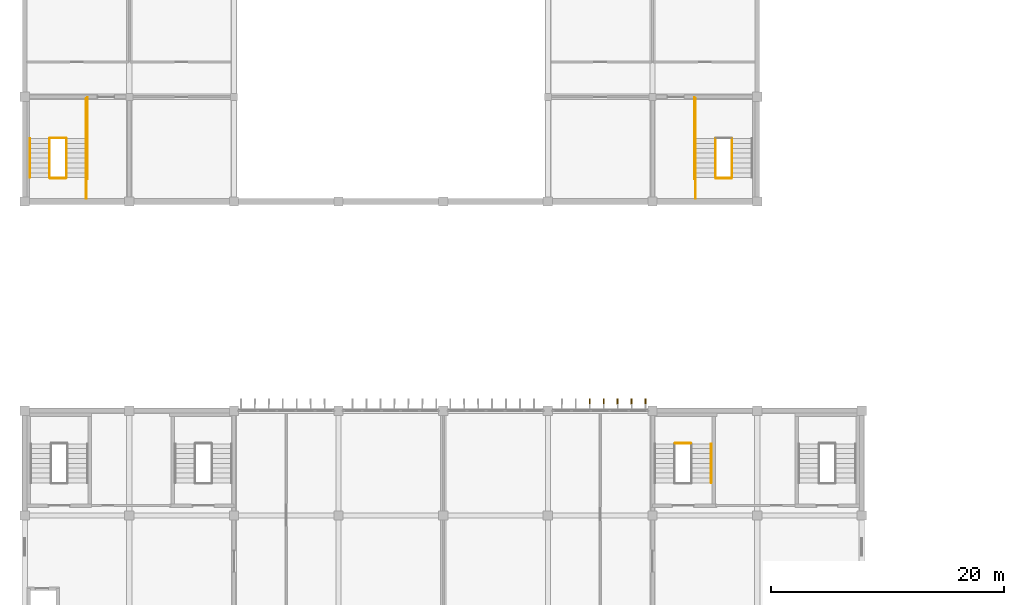
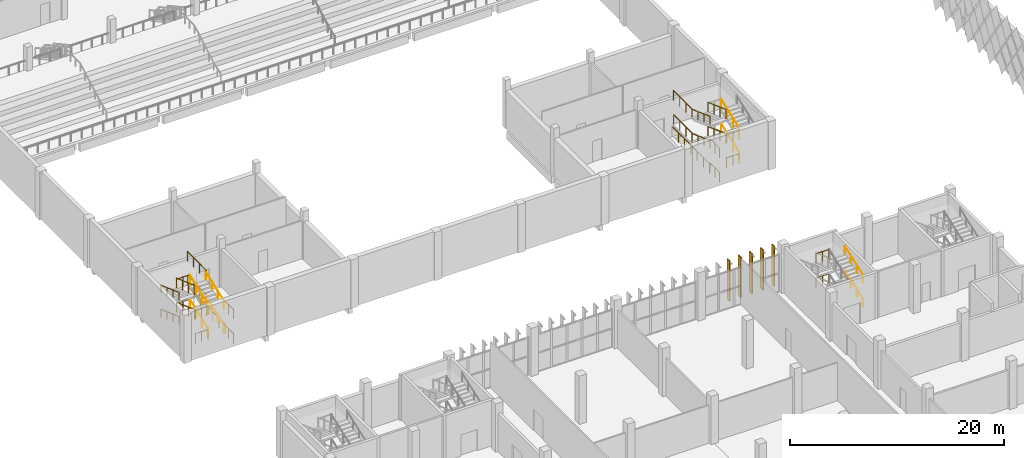
# One storey, part 170 of 185: 34 railings, 5 coverings.
"""IFC4 building model written with IfcOpenShell, lengths in metres."""

from ifc_helpers import new_model, si_unit, direction, frame, origin, origin_2d, place, context, subcontext, project, spatial, rectangle, circle, extrude, material, layer, layer_set, constituent, constituent_set, type_object, element, save


model = new_model("IFC4")

# Units and contexts
model_context = context("Model", 3, precision=1e-05, world=origin(), true_north=direction((0.0, 1.0)))
body_context = subcontext(model_context, "Body", "Model", "MODEL_VIEW")
ifc_project = project(units=[si_unit("LENGTHUNIT", "METRE"), si_unit("AREAUNIT", "SQUARE_METRE"), si_unit("VOLUMEUNIT", "CUBIC_METRE"), si_unit("PLANEANGLEUNIT", "RADIAN"), si_unit("MASSUNIT", "GRAM", prefix="KILO")], contexts=[model_context])

# Site, building, storey
site_placement = place(None, origin())
site = spatial("IfcSite", under=ifc_project, at=site_placement, CompositionType="ELEMENT")
building_placement = place(site_placement, origin())
building = spatial("IfcBuilding", under=site, at=building_placement, Name="Opaline Strait Convention Centre", CompositionType="ELEMENT")
storey_placement = place(building_placement, frame((0.0, 0.0, 6.0)))
storey = spatial("IfcBuildingStorey", under=building, at=storey_placement, Name="L01", CompositionType="ELEMENT", Elevation=6.0)

# Railings
ifc_material_1 = material(Name="Steel Q355B", Category="steel")
ifc_constituent_1 = constituent(ifc_material_1, Name="Frame")
ifc_material_2 = material(Name="Safety glass, bonded interlayer", Category="glass")
ifc_constituent_2 = constituent(ifc_material_2, Name="Infill")
ifc_constituent_set_1 = constituent_set(constituents=[ifc_constituent_1, ifc_constituent_2], Name="Steel Q355B, Safety glass, bonded interlayer")
railing_type_1 = type_object("IfcRailingType", Name="Seating guard 1100 steel and glass", PredefinedType="GUARDRAIL", material=ifc_constituent_set_1)
railing_1_placement = place(storey_placement, frame((12.60009765625, 119.050048828125, 0.15283203125)))
element("IfcRailing", 1, at=railing_1_placement, inside=storey, type_object=railing_type_1, Name="L01 PSR1 stair guard 1", PredefinedType="GUARDRAIL", context=body_context, shape_type="SweptSolid", body=[
    extrude(circle(Radius=0.02392578125, at=origin_2d()), frame((0.0, 0.0, 1.076171875), z_axis=(0.0, 0.93975753056, 0.341841752506), x_axis=(-1.0, 0.0, 0.0)), (0.0, 0.0, 1.0), 3.5751953125),
    extrude(circle(Radius=0.02099609375, at=origin_2d()), origin(), (0.0, 0.0, 1.0), 1.052001953125),
    extrude(circle(Radius=0.02099609375, at=origin_2d()), frame((0.0, 1.119873046875, 0.407470703125)), (0.0, 0.0, 1.0), 1.052001953125),
    extrude(circle(Radius=0.02099609375, at=origin_2d()), frame((0.0, 2.239990234375, 0.814697265625)), (0.0, 0.0, 1.0), 1.052001953125),
    extrude(circle(Radius=0.02099609375, at=origin_2d()), frame((0.0, 3.35986328125, 1.22216796875)), (0.0, 0.0, 1.0), 1.052001953125),
])
railing_2_placement = place(storey_placement, frame((12.550048828125, 122.4599609375, 1.375)))
element("IfcRailing", 2, at=railing_2_placement, inside=storey, type_object=railing_type_1, Name="L01 PSR1 stair guard 2", PredefinedType="GUARDRAIL", context=body_context, shape_type="SweptSolid", body=[
    extrude(circle(Radius=0.02392578125, at=origin_2d()), frame((0.0, 0.0, 1.076171875), z_axis=(-1.0, 0.0, 0.0), x_axis=(0.0, -1.0, 0.0)), (0.0, 0.0, 1.0), 1.35009765625),
    extrude(circle(Radius=0.02099609375, at=origin_2d()), origin(), (0.0, 0.0, 1.0), 1.052001953125),
    extrude(circle(Radius=0.02099609375, at=origin_2d()), frame((-0.675048828125, 0.0, 0.0)), (0.0, 0.0, 1.0), 1.052001953125),
    extrude(circle(Radius=0.02099609375, at=origin_2d()), frame((-1.35009765625, 0.0, 0.0)), (0.0, 0.0, 1.0), 1.052001953125),
])
railing_3_placement = place(storey_placement, frame((14.300048828125, 122.409912109375, 1.375)))
element("IfcRailing", 3, at=railing_3_placement, inside=storey, type_object=railing_type_1, Name="L01 PSR1 stair guard 3", PredefinedType="GUARDRAIL", context=body_context, shape_type="SweptSolid", body=[
    extrude(circle(Radius=0.02392578125, at=origin_2d()), frame((0.0, 0.0, 1.076171875), z_axis=(0.0, 1.0, 0.0), x_axis=(-1.0, 0.0, 0.0)), (0.0, 0.0, 1.0), 3.440185546875),
    extrude(circle(Radius=0.02099609375, at=origin_2d()), origin(), (0.0, 0.0, 1.0), 1.052001953125),
    extrude(circle(Radius=0.02099609375, at=origin_2d()), frame((0.0, 1.146728515625, 0.0)), (0.0, 0.0, 1.0), 1.052001953125),
    extrude(circle(Radius=0.02099609375, at=origin_2d()), frame((0.0, 2.29345703125, 0.0)), (0.0, 0.0, 1.0), 1.052001953125),
    extrude(circle(Radius=0.02099609375, at=origin_2d()), frame((0.0, 3.440185546875, 0.0)), (0.0, 0.0, 1.0), 1.052001953125),
])
railing_4_placement = place(storey_placement, frame((11.14990234375, 122.409912109375, 1.52783203125)))
element("IfcRailing", 4, at=railing_4_placement, inside=storey, type_object=railing_type_1, Name="L01 PSR1 stair guard 4", PredefinedType="GUARDRAIL", context=body_context, shape_type="SweptSolid", body=[
    extrude(circle(Radius=0.02392578125, at=origin_2d()), frame((0.0, 0.0, 1.076171875), z_axis=(0.0, -0.93975753056, 0.341841752506), x_axis=(1.0, 0.0, 0.0)), (0.0, 0.0, 1.0), 3.5751953125),
    extrude(circle(Radius=0.02099609375, at=origin_2d()), origin(), (0.0, 0.0, 1.0), 1.052001953125),
    extrude(circle(Radius=0.02099609375, at=origin_2d()), frame((0.0, -1.119873046875, 0.407470703125)), (0.0, 0.0, 1.0), 1.052001953125),
    extrude(circle(Radius=0.02099609375, at=origin_2d()), frame((0.0, -2.239990234375, 0.814697265625)), (0.0, 0.0, 1.0), 1.052001953125),
    extrude(circle(Radius=0.02099609375, at=origin_2d()), frame((0.0, -3.35986328125, 1.22216796875)), (0.0, 0.0, 1.0), 1.052001953125),
])
railing_5_placement = place(storey_placement, frame((12.550048828125, 119.0, 2.75)))
element("IfcRailing", 5, at=railing_5_placement, inside=storey, type_object=railing_type_1, Name="L01 PSR1 stair guard 5", PredefinedType="GUARDRAIL", context=body_context, shape_type="SweptSolid", body=[
    extrude(circle(Radius=0.02392578125, at=origin_2d()), frame((0.0, 0.0, 1.076171875), z_axis=(-1.0, 0.0, 0.0), x_axis=(0.0, -1.0, 0.0)), (0.0, 0.0, 1.0), 1.35009765625),
    extrude(circle(Radius=0.02099609375, at=origin_2d()), origin(), (0.0, 0.0, 1.0), 1.052001953125),
    extrude(circle(Radius=0.02099609375, at=origin_2d()), frame((-0.675048828125, 0.0, 0.0)), (0.0, 0.0, 1.0), 1.052001953125),
    extrude(circle(Radius=0.02099609375, at=origin_2d()), frame((-1.35009765625, 0.0, 0.0)), (0.0, 0.0, 1.0), 1.052001953125),
])
railing_6_placement = place(storey_placement, frame((14.300048828125, 117.25, 2.75)))
element("IfcRailing", 6, at=railing_6_placement, inside=storey, type_object=railing_type_1, Name="L01 PSR1 stair guard 6", PredefinedType="GUARDRAIL", context=body_context, shape_type="SweptSolid", body=[
    extrude(circle(Radius=0.02392578125, at=origin_2d()), frame((0.0, 0.0, 1.076171875), z_axis=(0.0, 1.0, 0.0), x_axis=(-1.0, 0.0, 0.0)), (0.0, 0.0, 1.0), 1.800048828125),
    extrude(circle(Radius=0.02099609375, at=origin_2d()), origin(), (0.0, 0.0, 1.0), 1.052001953125),
    extrude(circle(Radius=0.02099609375, at=origin_2d()), frame((0.0, 0.89990234375, 0.0)), (0.0, 0.0, 1.0), 1.052001953125),
    extrude(circle(Radius=0.02099609375, at=origin_2d()), frame((0.0, 1.800048828125, 0.0)), (0.0, 0.0, 1.0), 1.052001953125),
])
railing_7_placement = place(storey_placement, frame((12.60009765625, 119.050048828125, 2.90283203125)))
element("IfcRailing", 7, at=railing_7_placement, inside=storey, type_object=railing_type_1, Name="L01 PSR1 stair guard 7", PredefinedType="GUARDRAIL", context=body_context, shape_type="SweptSolid", body=[
    extrude(circle(Radius=0.02392578125, at=origin_2d()), frame((0.0, 0.0, 1.076171875), z_axis=(0.0, 0.93975753056, 0.341841752506), x_axis=(-1.0, 0.0, 0.0)), (0.0, 0.0, 1.0), 3.5751953125),
    extrude(circle(Radius=0.02099609375, at=origin_2d()), origin(), (0.0, 0.0, 1.0), 1.052001953125),
    extrude(circle(Radius=0.02099609375, at=origin_2d()), frame((0.0, 1.119873046875, 0.407470703125)), (0.0, 0.0, 1.0), 1.052001953125),
    extrude(circle(Radius=0.02099609375, at=origin_2d()), frame((0.0, 2.239990234375, 0.814697265625)), (0.0, 0.0, 1.0), 1.052001953125),
    extrude(circle(Radius=0.02099609375, at=origin_2d()), frame((0.0, 3.35986328125, 1.22216796875)), (0.0, 0.0, 1.0), 1.052001953125),
])
railing_8_placement = place(storey_placement, frame((12.550048828125, 122.4599609375, 4.125)))
element("IfcRailing", 8, at=railing_8_placement, inside=storey, type_object=railing_type_1, Name="L01 PSR1 stair guard 8", PredefinedType="GUARDRAIL", context=body_context, shape_type="SweptSolid", body=[
    extrude(circle(Radius=0.02392578125, at=origin_2d()), frame((0.0, 0.0, 1.076171875), z_axis=(-1.0, 0.0, 0.0), x_axis=(0.0, -1.0, 0.0)), (0.0, 0.0, 1.0), 1.35009765625),
    extrude(circle(Radius=0.02099609375, at=origin_2d()), origin(), (0.0, 0.0, 1.0), 1.052001953125),
    extrude(circle(Radius=0.02099609375, at=origin_2d()), frame((-0.675048828125, 0.0, 0.0)), (0.0, 0.0, 1.0), 1.052001953125),
    extrude(circle(Radius=0.02099609375, at=origin_2d()), frame((-1.35009765625, 0.0, 0.0)), (0.0, 0.0, 1.0), 1.052001953125),
])
railing_9_placement = place(storey_placement, frame((14.300048828125, 122.409912109375, 4.125)))
element("IfcRailing", 9, at=railing_9_placement, inside=storey, type_object=railing_type_1, Name="L01 PSR1 stair guard 9", PredefinedType="GUARDRAIL", context=body_context, shape_type="SweptSolid", body=[
    extrude(circle(Radius=0.02392578125, at=origin_2d()), frame((0.0, 0.0, 1.076171875), z_axis=(0.0, 1.0, 0.0), x_axis=(-1.0, 0.0, 0.0)), (0.0, 0.0, 1.0), 3.440185546875),
    extrude(circle(Radius=0.02099609375, at=origin_2d()), origin(), (0.0, 0.0, 1.0), 1.052001953125),
    extrude(circle(Radius=0.02099609375, at=origin_2d()), frame((0.0, 1.146728515625, 0.0)), (0.0, 0.0, 1.0), 1.052001953125),
    extrude(circle(Radius=0.02099609375, at=origin_2d()), frame((0.0, 2.29345703125, 0.0)), (0.0, 0.0, 1.0), 1.052001953125),
    extrude(circle(Radius=0.02099609375, at=origin_2d()), frame((0.0, 3.440185546875, 0.0)), (0.0, 0.0, 1.0), 1.052001953125),
])
railing_10_placement = place(storey_placement, frame((11.14990234375, 122.409912109375, 4.27783203125)))
element("IfcRailing", 10, at=railing_10_placement, inside=storey, type_object=railing_type_1, Name="L01 PSR1 stair guard 10", PredefinedType="GUARDRAIL", context=body_context, shape_type="SweptSolid", body=[
    extrude(circle(Radius=0.02392578125, at=origin_2d()), frame((0.0, 0.0, 1.076171875), z_axis=(0.0, -0.93975753056, 0.341841752506), x_axis=(1.0, 0.0, 0.0)), (0.0, 0.0, 1.0), 3.5751953125),
    extrude(circle(Radius=0.02099609375, at=origin_2d()), origin(), (0.0, 0.0, 1.0), 1.052001953125),
    extrude(circle(Radius=0.02099609375, at=origin_2d()), frame((0.0, -1.119873046875, 0.407470703125)), (0.0, 0.0, 1.0), 1.052001953125),
    extrude(circle(Radius=0.02099609375, at=origin_2d()), frame((0.0, -2.239990234375, 0.814697265625)), (0.0, 0.0, 1.0), 1.052001953125),
    extrude(circle(Radius=0.02099609375, at=origin_2d()), frame((0.0, -3.35986328125, 1.22216796875)), (0.0, 0.0, 1.0), 1.052001953125),
])
railing_11_placement = place(storey_placement, frame((12.550048828125, 119.0, 0.0)))
element("IfcRailing", 11, at=railing_11_placement, inside=storey, type_object=railing_type_1, Name="L01 PSR1 stair guard 11", PredefinedType="GUARDRAIL", context=body_context, shape_type="SweptSolid", body=[
    extrude(circle(Radius=0.02392578125, at=origin_2d()), frame((0.0, 0.0, 1.076171875), z_axis=(-1.0, 0.0, 0.0), x_axis=(0.0, -1.0, 0.0)), (0.0, 0.0, 1.0), 1.35009765625),
    extrude(circle(Radius=0.02099609375, at=origin_2d()), origin(), (0.0, 0.0, 1.0), 1.052001953125),
    extrude(circle(Radius=0.02099609375, at=origin_2d()), frame((-0.675048828125, 0.0, 0.0)), (0.0, 0.0, 1.0), 1.052001953125),
    extrude(circle(Radius=0.02099609375, at=origin_2d()), frame((-1.35009765625, 0.0, 0.0)), (0.0, 0.0, 1.0), 1.052001953125),
])
railing_12_placement = place(storey_placement, frame((14.300048828125, 117.25, 0.0)))
element("IfcRailing", 12, at=railing_12_placement, inside=storey, type_object=railing_type_1, Name="L01 PSR1 stair guard 12", PredefinedType="GUARDRAIL", context=body_context, shape_type="SweptSolid", body=[
    extrude(circle(Radius=0.02392578125, at=origin_2d()), frame((0.0, 0.0, 1.076171875), z_axis=(0.0, 1.0, 0.0), x_axis=(-1.0, 0.0, 0.0)), (0.0, 0.0, 1.0), 1.800048828125),
    extrude(circle(Radius=0.02099609375, at=origin_2d()), origin(), (0.0, 0.0, 1.0), 1.052001953125),
    extrude(circle(Radius=0.02099609375, at=origin_2d()), frame((0.0, 0.89990234375, 0.0)), (0.0, 0.0, 1.0), 1.052001953125),
    extrude(circle(Radius=0.02099609375, at=origin_2d()), frame((0.0, 1.800048828125, 0.0)), (0.0, 0.0, 1.0), 1.052001953125),
])
railing_13_placement = place(storey_placement, frame((14.39990234375, 118.949951171875, 0.0)))
element("IfcRailing", 13, at=railing_13_placement, inside=storey, type_object=railing_type_1, Name="L01 PSR1 stair guard 13", PredefinedType="GUARDRAIL", context=body_context, shape_type="SweptSolid", body=[
    extrude(circle(Radius=0.02392578125, at=origin_2d()), frame((0.0, 0.0, 1.076171875), z_axis=(0.0, 1.0, 0.0), x_axis=(-1.0, 0.0, 0.0)), (0.0, 0.0, 1.0), 7.0),
    extrude(circle(Radius=0.02099609375, at=origin_2d()), origin(), (0.0, 0.0, 1.0), 1.052001953125),
    extrude(circle(Radius=0.02099609375, at=origin_2d()), frame((0.0, 1.166748046875, 0.0)), (0.0, 0.0, 1.0), 1.052001953125),
    extrude(circle(Radius=0.02099609375, at=origin_2d()), frame((0.0, 2.333251953125, 0.0)), (0.0, 0.0, 1.0), 1.052001953125),
    extrude(circle(Radius=0.02099609375, at=origin_2d()), frame((0.0, 3.5, 0.0)), (0.0, 0.0, 1.0), 1.052001953125),
    extrude(circle(Radius=0.02099609375, at=origin_2d()), frame((0.0, 4.666748046875, 0.0)), (0.0, 0.0, 1.0), 1.052001953125),
    extrude(circle(Radius=0.02099609375, at=origin_2d()), frame((0.0, 5.833251953125, 0.0)), (0.0, 0.0, 1.0), 1.052001953125),
    extrude(circle(Radius=0.02099609375, at=origin_2d()), frame((0.0, 7.0, 0.0)), (0.0, 0.0, 1.0), 1.052001953125),
])
railing_14_placement = place(storey_placement, frame((69.85009765625, 119.050048828125, 0.15283203125)))
element("IfcRailing", 14, at=railing_14_placement, inside=storey, type_object=railing_type_1, Name="L01 PSR2 stair guard 1", PredefinedType="GUARDRAIL", context=body_context, shape_type="SweptSolid", body=[
    extrude(circle(Radius=0.02392578125, at=origin_2d()), frame((0.0, 0.0, 1.076171875), z_axis=(0.0, 0.93975753056, 0.341841752506), x_axis=(-1.0, 0.0, 0.0)), (0.0, 0.0, 1.0), 3.5751953125),
    extrude(circle(Radius=0.02099609375, at=origin_2d()), origin(), (0.0, 0.0, 1.0), 1.052001953125),
    extrude(circle(Radius=0.02099609375, at=origin_2d()), frame((0.0, 1.119873046875, 0.407470703125)), (0.0, 0.0, 1.0), 1.052001953125),
    extrude(circle(Radius=0.02099609375, at=origin_2d()), frame((0.0, 2.239990234375, 0.814697265625)), (0.0, 0.0, 1.0), 1.052001953125),
    extrude(circle(Radius=0.02099609375, at=origin_2d()), frame((0.0, 3.35986328125, 1.22216796875)), (0.0, 0.0, 1.0), 1.052001953125),
])
railing_15_placement = place(storey_placement, frame((66.699951171875, 122.409912109375, 1.375)))
element("IfcRailing", 15, at=railing_15_placement, inside=storey, type_object=railing_type_1, Name="L01 PSR2 stair guard 3", PredefinedType="GUARDRAIL", context=body_context, shape_type="SweptSolid", body=[
    extrude(circle(Radius=0.02392578125, at=origin_2d()), frame((0.0, 0.0, 1.076171875), z_axis=(0.0, 1.0, 0.0), x_axis=(-1.0, 0.0, 0.0)), (0.0, 0.0, 1.0), 3.440185546875),
    extrude(circle(Radius=0.02099609375, at=origin_2d()), origin(), (0.0, 0.0, 1.0), 1.052001953125),
    extrude(circle(Radius=0.02099609375, at=origin_2d()), frame((0.0, 1.146728515625, 0.0)), (0.0, 0.0, 1.0), 1.052001953125),
    extrude(circle(Radius=0.02099609375, at=origin_2d()), frame((0.0, 2.29345703125, 0.0)), (0.0, 0.0, 1.0), 1.052001953125),
    extrude(circle(Radius=0.02099609375, at=origin_2d()), frame((0.0, 3.440185546875, 0.0)), (0.0, 0.0, 1.0), 1.052001953125),
])
railing_16_placement = place(storey_placement, frame((68.39990234375, 122.409912109375, 1.52783203125)))
element("IfcRailing", 16, at=railing_16_placement, inside=storey, type_object=railing_type_1, Name="L01 PSR2 stair guard 4", PredefinedType="GUARDRAIL", context=body_context, shape_type="SweptSolid", body=[
    extrude(circle(Radius=0.02392578125, at=origin_2d()), frame((0.0, 0.0, 1.076171875), z_axis=(0.0, -0.93975753056, 0.341841752506), x_axis=(1.0, 0.0, 0.0)), (0.0, 0.0, 1.0), 3.5751953125),
    extrude(circle(Radius=0.02099609375, at=origin_2d()), origin(), (0.0, 0.0, 1.0), 1.052001953125),
    extrude(circle(Radius=0.02099609375, at=origin_2d()), frame((0.0, -1.119873046875, 0.407470703125)), (0.0, 0.0, 1.0), 1.052001953125),
    extrude(circle(Radius=0.02099609375, at=origin_2d()), frame((0.0, -2.239990234375, 0.814697265625)), (0.0, 0.0, 1.0), 1.052001953125),
    extrude(circle(Radius=0.02099609375, at=origin_2d()), frame((0.0, -3.35986328125, 1.22216796875)), (0.0, 0.0, 1.0), 1.052001953125),
])
railing_17_placement = place(storey_placement, frame((69.800048828125, 119.0, 2.75)))
element("IfcRailing", 17, at=railing_17_placement, inside=storey, type_object=railing_type_1, Name="L01 PSR2 stair guard 5", PredefinedType="GUARDRAIL", context=body_context, shape_type="SweptSolid", body=[
    extrude(circle(Radius=0.02392578125, at=origin_2d()), frame((0.0, 0.0, 1.076171875), z_axis=(-1.0, 0.0, 0.0), x_axis=(0.0, -1.0, 0.0)), (0.0, 0.0, 1.0), 1.35009765625),
    extrude(circle(Radius=0.02099609375, at=origin_2d()), origin(), (0.0, 0.0, 1.0), 1.052001953125),
    extrude(circle(Radius=0.02099609375, at=origin_2d()), frame((-0.675048828125, 0.0, 0.0)), (0.0, 0.0, 1.0), 1.052001953125),
    extrude(circle(Radius=0.02099609375, at=origin_2d()), frame((-1.35009765625, 0.0, 0.0)), (0.0, 0.0, 1.0), 1.052001953125),
])
railing_18_placement = place(storey_placement, frame((66.699951171875, 117.25, 2.75)))
element("IfcRailing", 18, at=railing_18_placement, inside=storey, type_object=railing_type_1, Name="L01 PSR2 stair guard 6", PredefinedType="GUARDRAIL", context=body_context, shape_type="SweptSolid", body=[
    extrude(circle(Radius=0.02392578125, at=origin_2d()), frame((0.0, 0.0, 1.076171875), z_axis=(0.0, 1.0, 0.0), x_axis=(-1.0, 0.0, 0.0)), (0.0, 0.0, 1.0), 1.800048828125),
    extrude(circle(Radius=0.02099609375, at=origin_2d()), origin(), (0.0, 0.0, 1.0), 1.052001953125),
    extrude(circle(Radius=0.02099609375, at=origin_2d()), frame((0.0, 0.89990234375, 0.0)), (0.0, 0.0, 1.0), 1.052001953125),
    extrude(circle(Radius=0.02099609375, at=origin_2d()), frame((0.0, 1.800048828125, 0.0)), (0.0, 0.0, 1.0), 1.052001953125),
])
railing_19_placement = place(storey_placement, frame((69.85009765625, 119.050048828125, 2.90283203125)))
element("IfcRailing", 19, at=railing_19_placement, inside=storey, type_object=railing_type_1, Name="L01 PSR2 stair guard 7", PredefinedType="GUARDRAIL", context=body_context, shape_type="SweptSolid", body=[
    extrude(circle(Radius=0.02392578125, at=origin_2d()), frame((0.0, 0.0, 1.076171875), z_axis=(0.0, 0.93975753056, 0.341841752506), x_axis=(-1.0, 0.0, 0.0)), (0.0, 0.0, 1.0), 3.5751953125),
    extrude(circle(Radius=0.02099609375, at=origin_2d()), origin(), (0.0, 0.0, 1.0), 1.052001953125),
    extrude(circle(Radius=0.02099609375, at=origin_2d()), frame((0.0, 1.119873046875, 0.407470703125)), (0.0, 0.0, 1.0), 1.052001953125),
    extrude(circle(Radius=0.02099609375, at=origin_2d()), frame((0.0, 2.239990234375, 0.814697265625)), (0.0, 0.0, 1.0), 1.052001953125),
    extrude(circle(Radius=0.02099609375, at=origin_2d()), frame((0.0, 3.35986328125, 1.22216796875)), (0.0, 0.0, 1.0), 1.052001953125),
])
railing_20_placement = place(storey_placement, frame((66.699951171875, 122.409912109375, 4.125)))
element("IfcRailing", 20, at=railing_20_placement, inside=storey, type_object=railing_type_1, Name="L01 PSR2 stair guard 9", PredefinedType="GUARDRAIL", context=body_context, shape_type="SweptSolid", body=[
    extrude(circle(Radius=0.02392578125, at=origin_2d()), frame((0.0, 0.0, 1.076171875), z_axis=(0.0, 1.0, 0.0), x_axis=(-1.0, 0.0, 0.0)), (0.0, 0.0, 1.0), 3.440185546875),
    extrude(circle(Radius=0.02099609375, at=origin_2d()), origin(), (0.0, 0.0, 1.0), 1.052001953125),
    extrude(circle(Radius=0.02099609375, at=origin_2d()), frame((0.0, 1.146728515625, 0.0)), (0.0, 0.0, 1.0), 1.052001953125),
    extrude(circle(Radius=0.02099609375, at=origin_2d()), frame((0.0, 2.29345703125, 0.0)), (0.0, 0.0, 1.0), 1.052001953125),
    extrude(circle(Radius=0.02099609375, at=origin_2d()), frame((0.0, 3.440185546875, 0.0)), (0.0, 0.0, 1.0), 1.052001953125),
])
railing_21_placement = place(storey_placement, frame((68.39990234375, 122.409912109375, 4.27783203125)))
element("IfcRailing", 21, at=railing_21_placement, inside=storey, type_object=railing_type_1, Name="L01 PSR2 stair guard 10", PredefinedType="GUARDRAIL", context=body_context, shape_type="SweptSolid", body=[
    extrude(circle(Radius=0.02392578125, at=origin_2d()), frame((0.0, 0.0, 1.076171875), z_axis=(0.0, -0.93975753056, 0.341841752506), x_axis=(1.0, 0.0, 0.0)), (0.0, 0.0, 1.0), 3.5751953125),
    extrude(circle(Radius=0.02099609375, at=origin_2d()), origin(), (0.0, 0.0, 1.0), 1.052001953125),
    extrude(circle(Radius=0.02099609375, at=origin_2d()), frame((0.0, -1.119873046875, 0.407470703125)), (0.0, 0.0, 1.0), 1.052001953125),
    extrude(circle(Radius=0.02099609375, at=origin_2d()), frame((0.0, -2.239990234375, 0.814697265625)), (0.0, 0.0, 1.0), 1.052001953125),
    extrude(circle(Radius=0.02099609375, at=origin_2d()), frame((0.0, -3.35986328125, 1.22216796875)), (0.0, 0.0, 1.0), 1.052001953125),
])
railing_22_placement = place(storey_placement, frame((69.800048828125, 119.0, 0.0)))
element("IfcRailing", 22, at=railing_22_placement, inside=storey, type_object=railing_type_1, Name="L01 PSR2 stair guard 11", PredefinedType="GUARDRAIL", context=body_context, shape_type="SweptSolid", body=[
    extrude(circle(Radius=0.02392578125, at=origin_2d()), frame((0.0, 0.0, 1.076171875), z_axis=(-1.0, 0.0, 0.0), x_axis=(0.0, -1.0, 0.0)), (0.0, 0.0, 1.0), 1.35009765625),
    extrude(circle(Radius=0.02099609375, at=origin_2d()), origin(), (0.0, 0.0, 1.0), 1.052001953125),
    extrude(circle(Radius=0.02099609375, at=origin_2d()), frame((-0.675048828125, 0.0, 0.0)), (0.0, 0.0, 1.0), 1.052001953125),
    extrude(circle(Radius=0.02099609375, at=origin_2d()), frame((-1.35009765625, 0.0, 0.0)), (0.0, 0.0, 1.0), 1.052001953125),
])
railing_23_placement = place(storey_placement, frame((66.699951171875, 117.25, 0.0)))
element("IfcRailing", 23, at=railing_23_placement, inside=storey, type_object=railing_type_1, Name="L01 PSR2 stair guard 12", PredefinedType="GUARDRAIL", context=body_context, shape_type="SweptSolid", body=[
    extrude(circle(Radius=0.02392578125, at=origin_2d()), frame((0.0, 0.0, 1.076171875), z_axis=(0.0, 1.0, 0.0), x_axis=(-1.0, 0.0, 0.0)), (0.0, 0.0, 1.0), 1.800048828125),
    extrude(circle(Radius=0.02099609375, at=origin_2d()), origin(), (0.0, 0.0, 1.0), 1.052001953125),
    extrude(circle(Radius=0.02099609375, at=origin_2d()), frame((0.0, 0.89990234375, 0.0)), (0.0, 0.0, 1.0), 1.052001953125),
    extrude(circle(Radius=0.02099609375, at=origin_2d()), frame((0.0, 1.800048828125, 0.0)), (0.0, 0.0, 1.0), 1.052001953125),
])
railing_24_placement = place(storey_placement, frame((66.60009765625, 118.949951171875, 0.0)))
element("IfcRailing", 24, at=railing_24_placement, inside=storey, type_object=railing_type_1, Name="L01 PSR2 stair guard 13", PredefinedType="GUARDRAIL", context=body_context, shape_type="SweptSolid", body=[
    extrude(circle(Radius=0.02392578125, at=origin_2d()), frame((0.0, 0.0, 1.076171875), z_axis=(0.0, 1.0, 0.0), x_axis=(-1.0, 0.0, 0.0)), (0.0, 0.0, 1.0), 7.0),
    extrude(circle(Radius=0.02099609375, at=origin_2d()), origin(), (0.0, 0.0, 1.0), 1.052001953125),
    extrude(circle(Radius=0.02099609375, at=origin_2d()), frame((0.0, 1.166748046875, 0.0)), (0.0, 0.0, 1.0), 1.052001953125),
    extrude(circle(Radius=0.02099609375, at=origin_2d()), frame((0.0, 2.333251953125, 0.0)), (0.0, 0.0, 1.0), 1.052001953125),
    extrude(circle(Radius=0.02099609375, at=origin_2d()), frame((0.0, 3.5, 0.0)), (0.0, 0.0, 1.0), 1.052001953125),
    extrude(circle(Radius=0.02099609375, at=origin_2d()), frame((0.0, 4.666748046875, 0.0)), (0.0, 0.0, 1.0), 1.052001953125),
    extrude(circle(Radius=0.02099609375, at=origin_2d()), frame((0.0, 5.833251953125, 0.0)), (0.0, 0.0, 1.0), 1.052001953125),
    extrude(circle(Radius=0.02099609375, at=origin_2d()), frame((0.0, 7.0, 0.0)), (0.0, 0.0, 1.0), 1.052001953125),
])
ifc_material_3 = material(Name="Steel Q235B", Category="steel")
ifc_constituent_3 = constituent(ifc_material_3, Name="Frame")
ifc_constituent_4 = constituent(ifc_material_2, Name="Infill")
ifc_constituent_set_2 = constituent_set(constituents=[ifc_constituent_3, ifc_constituent_4], Name="Steel Q235B, Safety glass, bonded interlayer")
railing_type_2 = type_object("IfcRailingType", Name="Stair guard 1100 Q235B and glass", PredefinedType="GUARDRAIL", material=ifc_constituent_set_2)
for number, where, name in (
    (25, (66.300048828125, 96.2099609375, 1.375), "L01 NEB stair guard 2"),
    (26, (66.300048828125, 96.2099609375, 4.125), "L01 NEB stair guard 6"),
):
    element("IfcRailing", number, at=place(storey_placement, frame(where)), inside=storey, type_object=railing_type_2, Name=name, PredefinedType="GUARDRAIL", context=body_context, shape_type="SweptSolid", body=[
        extrude(circle(Radius=0.02392578125, at=origin_2d()), frame((0.0, 0.0, 1.076171875), z_axis=(-1.0, 0.0, 0.0), x_axis=(0.0, -1.0, 0.0)), (0.0, 0.0, 1.0), 1.35009765625),
        extrude(circle(Radius=0.02099609375, at=origin_2d()), origin(), (0.0, 0.0, 1.0), 1.052001953125),
        extrude(circle(Radius=0.02099609375, at=origin_2d()), frame((-0.675048828125, 0.0, 0.0)), (0.0, 0.0, 1.0), 1.052001953125),
        extrude(circle(Radius=0.02099609375, at=origin_2d()), frame((-1.35009765625, 0.0, 0.0)), (0.0, 0.0, 1.0), 1.052001953125),
    ])
ifc_material_4 = material(Name="Stainless steel 304", Category="steel")
railing_type_3 = type_object("IfcRailingType", Name="Stair handrail 900", PredefinedType="HANDRAIL", material=ifc_material_4)
railing_25_placement = place(storey_placement, frame((14.300048828125, 119.050048828125, 0.15283203125)))
element("IfcRailing", 27, at=railing_25_placement, inside=storey, type_object=railing_type_3, Name="L01 PSR1 stair handrail 1", PredefinedType="HANDRAIL", context=body_context, shape_type="SweptSolid", body=[
    extrude(circle(Radius=0.02392578125, at=origin_2d()), frame((0.0, 0.0, 0.8759765625), z_axis=(0.0, 0.93975753056, 0.341841752506), x_axis=(-1.0, 0.0, 0.0)), (0.0, 0.0, 1.0), 3.5751953125),
    extrude(circle(Radius=0.02099609375, at=origin_2d()), origin(), (0.0, 0.0, 1.0), 0.851806640625),
    extrude(circle(Radius=0.02099609375, at=origin_2d()), frame((0.0, 1.119873046875, 0.407470703125)), (0.0, 0.0, 1.0), 0.851806640625),
    extrude(circle(Radius=0.02099609375, at=origin_2d()), frame((0.0, 2.239990234375, 0.814697265625)), (0.0, 0.0, 1.0), 0.851806640625),
    extrude(circle(Radius=0.02099609375, at=origin_2d()), frame((0.0, 3.35986328125, 1.22216796875)), (0.0, 0.0, 1.0), 0.851806640625),
])
railing_26_placement = place(storey_placement, frame((9.449951171875, 122.409912109375, 1.52783203125)))
element("IfcRailing", 28, at=railing_26_placement, inside=storey, type_object=railing_type_3, Name="L01 PSR1 stair handrail 2", PredefinedType="HANDRAIL", context=body_context, shape_type="SweptSolid", body=[
    extrude(circle(Radius=0.02392578125, at=origin_2d()), frame((0.0, 0.0, 0.8759765625), z_axis=(0.0, -0.93975753056, 0.341841752506), x_axis=(1.0, 0.0, 0.0)), (0.0, 0.0, 1.0), 3.5751953125),
    extrude(circle(Radius=0.02099609375, at=origin_2d()), origin(), (0.0, 0.0, 1.0), 0.851806640625),
    extrude(circle(Radius=0.02099609375, at=origin_2d()), frame((0.0, -1.119873046875, 0.407470703125)), (0.0, 0.0, 1.0), 0.851806640625),
    extrude(circle(Radius=0.02099609375, at=origin_2d()), frame((0.0, -2.239990234375, 0.814697265625)), (0.0, 0.0, 1.0), 0.851806640625),
    extrude(circle(Radius=0.02099609375, at=origin_2d()), frame((0.0, -3.35986328125, 1.22216796875)), (0.0, 0.0, 1.0), 0.851806640625),
])
railing_27_placement = place(storey_placement, frame((14.300048828125, 119.050048828125, 2.90283203125)))
element("IfcRailing", 29, at=railing_27_placement, inside=storey, type_object=railing_type_3, Name="L01 PSR1 stair handrail 3", PredefinedType="HANDRAIL", context=body_context, shape_type="SweptSolid", body=[
    extrude(circle(Radius=0.02392578125, at=origin_2d()), frame((0.0, 0.0, 0.8759765625), z_axis=(0.0, 0.93975753056, 0.341841752506), x_axis=(-1.0, 0.0, 0.0)), (0.0, 0.0, 1.0), 3.5751953125),
    extrude(circle(Radius=0.02099609375, at=origin_2d()), origin(), (0.0, 0.0, 1.0), 0.851806640625),
    extrude(circle(Radius=0.02099609375, at=origin_2d()), frame((0.0, 1.119873046875, 0.407470703125)), (0.0, 0.0, 1.0), 0.851806640625),
    extrude(circle(Radius=0.02099609375, at=origin_2d()), frame((0.0, 2.239990234375, 0.814697265625)), (0.0, 0.0, 1.0), 0.851806640625),
    extrude(circle(Radius=0.02099609375, at=origin_2d()), frame((0.0, 3.35986328125, 1.22216796875)), (0.0, 0.0, 1.0), 0.851806640625),
])
for number, where, name in (
    (30, (9.449951171875, 122.409912109375, 4.27783203125), "L01 PSR1 stair handrail 4"),
    (31, (66.699951171875, 122.409912109375, 1.52783203125), "L01 PSR2 stair handrail 2"),
    (32, (66.699951171875, 122.409912109375, 4.27783203125), "L01 PSR2 stair handrail 4"),
):
    element("IfcRailing", number, at=place(storey_placement, frame(where)), inside=storey, type_object=railing_type_3, Name=name, PredefinedType="HANDRAIL", context=body_context, shape_type="SweptSolid", body=[
        extrude(circle(Radius=0.02392578125, at=origin_2d()), frame((0.0, 0.0, 0.8759765625), z_axis=(0.0, -0.93975753056, 0.341841752506), x_axis=(1.0, 0.0, 0.0)), (0.0, 0.0, 1.0), 3.5751953125),
        extrude(circle(Radius=0.02099609375, at=origin_2d()), origin(), (0.0, 0.0, 1.0), 0.851806640625),
        extrude(circle(Radius=0.02099609375, at=origin_2d()), frame((0.0, -1.119873046875, 0.407470703125)), (0.0, 0.0, 1.0), 0.851806640625),
        extrude(circle(Radius=0.02099609375, at=origin_2d()), frame((0.0, -2.239990234375, 0.814697265625)), (0.0, 0.0, 1.0), 0.851806640625),
        extrude(circle(Radius=0.02099609375, at=origin_2d()), frame((0.0, -3.35986328125, 1.22216796875)), (0.0, 0.0, 1.0), 0.851806640625),
    ])
railing_type_4 = type_object("IfcRailingType", Name="Stair handrail 900 stainless 304", PredefinedType="HANDRAIL", material=ifc_material_4)
for number, where, name in (
    (33, (68.050048828125, 92.800048828125, 0.15283203125), "L01 NEB stair handrail 1"),
    (34, (68.050048828125, 92.800048828125, 2.90283203125), "L01 NEB stair handrail 3"),
):
    element("IfcRailing", number, at=place(storey_placement, frame(where)), inside=storey, type_object=railing_type_4, Name=name, PredefinedType="HANDRAIL", context=body_context, shape_type="SweptSolid", body=[
        extrude(circle(Radius=0.02392578125, at=origin_2d()), frame((0.0, 0.0, 0.8759765625), z_axis=(0.0, 0.93975753056, 0.341841752506), x_axis=(-1.0, 0.0, 0.0)), (0.0, 0.0, 1.0), 3.5751953125),
        extrude(circle(Radius=0.02099609375, at=origin_2d()), origin(), (0.0, 0.0, 1.0), 0.851806640625),
        extrude(circle(Radius=0.02099609375, at=origin_2d()), frame((0.0, 1.119873046875, 0.407470703125)), (0.0, 0.0, 1.0), 0.851806640625),
        extrude(circle(Radius=0.02099609375, at=origin_2d()), frame((0.0, 2.239990234375, 0.814697265625)), (0.0, 0.0, 1.0), 0.851806640625),
        extrude(circle(Radius=0.02099609375, at=origin_2d()), frame((0.0, 3.35986328125, 1.22216796875)), (0.0, 0.0, 1.0), 0.851806640625),
    ])

# Coverings
ifc_material_5 = material(Name="Powder-coated white aluminium", Category="aluminium")
ifc_layer = layer(ifc_material_5, 0.1201171875)
ifc_layer_set = layer_set([ifc_layer], Name="Powder-coated white aluminium")
covering_type = type_object("IfcCoveringType", Name="Storm louvre fin 120x500x4600", PredefinedType="CLADDING", material=ifc_layer_set)
for number, where, z_axis, x_axis, name in (
    (35, (57.60009765625, 99.800048828125, 0.300048828125), (0.0, 0.0, 1.0), (1.0, 0.0, 0.0), "Storm louvre fin N L01"),
    (36, (58.800048828125, 99.800048828125, 0.300048828125), (0.0, 0.0, 1.0), (1.0, 0.0, 0.0), "Storm louvre fin N L01"),
    (37, (60.0, 99.800048828125, 0.300048828125), (0.0, 0.0, 1.0), (1.0, 0.0, 0.0), "Storm louvre fin N L01"),
    (38, (61.199951171875, 99.800048828125, 0.300048828125), (0.0, 0.0, 1.0), (1.0, 0.0, 0.0), "Storm louvre fin N L01"),
    (39, (62.39990234375, 99.800048828125, 0.300048828125), (0.0, 0.0, 1.0), (1.0, 0.0, 0.0), "Storm louvre fin N L01"),
):
    element("IfcCovering", number, at=place(storey_placement, frame(where, z_axis=z_axis, x_axis=x_axis)), inside=storey, type_object=covering_type, Name=name, PredefinedType="CLADDING", context=body_context, shape_type="SweptSolid", body=[
        extrude(rectangle(XDim=0.1201171875, YDim=0.5, at=origin_2d()), origin(), (0.0, 0.0, 1.0), 4.60009765625),
    ])

save(model, "model.ifc")
